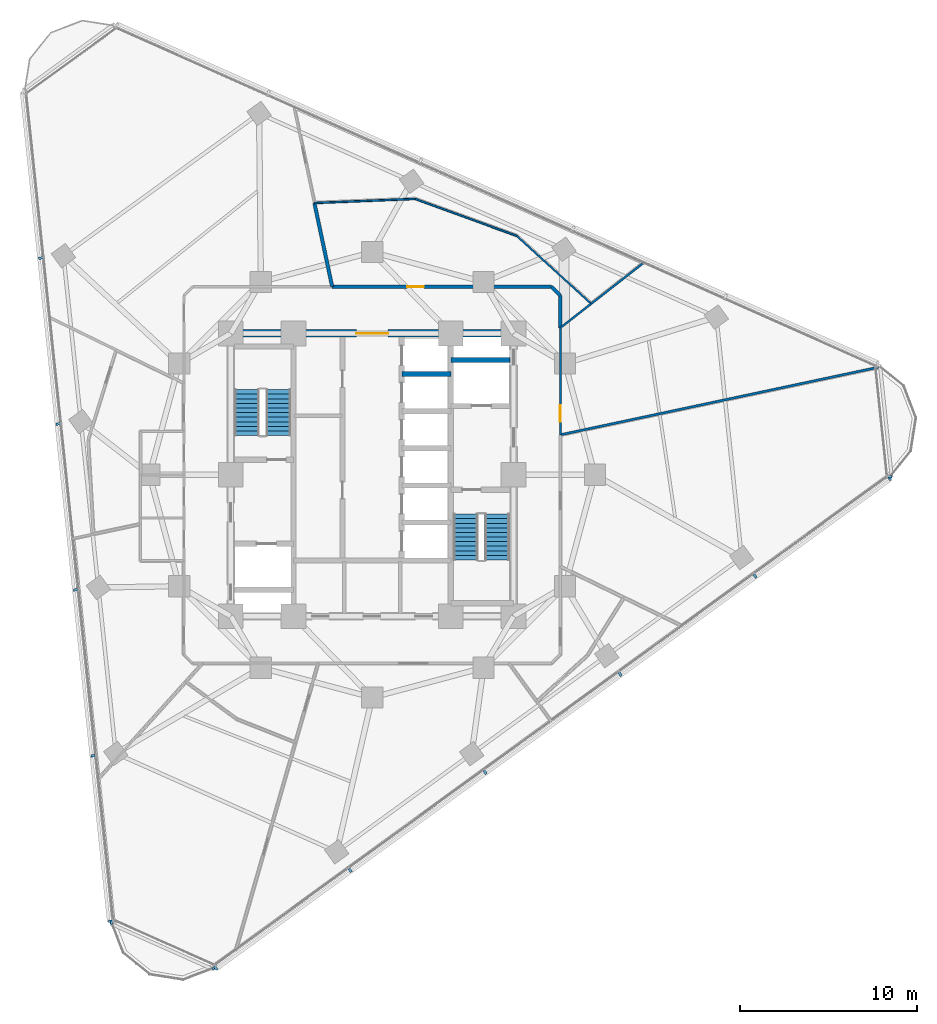
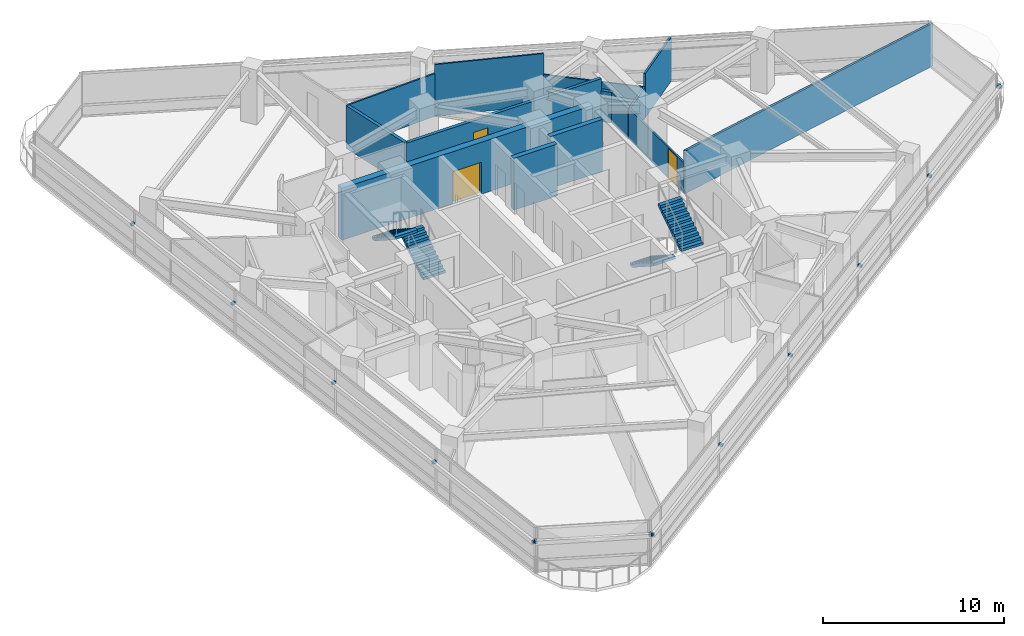
# One storey, part 10 of 14: 14 discrete accessories, 14 walls, 4 stair flights, 3 doors, 3 openings, 2 elements without a shape of their own.
"""IFC4 building model written with IfcOpenShell, lengths in metres."""

from ifc_helpers import new_model, si_unit, direction, frame, frame_2d, origin, origin_2d, place, context, subcontext, project, spatial, polyline, rectangle, outline, extrude, material, layer, layer_set, type_object, element, fill, aggregate, save


model = new_model("IFC4")

# Units and contexts
model_context = context("Model", 3, precision=1e-05, world=origin(), true_north=direction((0.0, 1.0)))
body_context = subcontext(model_context, "Body", "Model", "MODEL_VIEW")
ifc_project = project(units=[si_unit("LENGTHUNIT", "METRE"), si_unit("AREAUNIT", "SQUARE_METRE"), si_unit("VOLUMEUNIT", "CUBIC_METRE"), si_unit("PLANEANGLEUNIT", "RADIAN"), si_unit("MASSUNIT", "GRAM", prefix="KILO")], contexts=[model_context])

# Site, building, storey
site_placement = place(None, origin())
site = spatial("IfcSite", under=ifc_project, at=site_placement, CompositionType="ELEMENT")
building_placement = place(site_placement, origin())
building = spatial("IfcBuilding", under=site, at=building_placement, Name="Terralouvre Media Tower", CompositionType="ELEMENT")
storey_placement = place(building_placement, frame((0.0, 0.0, 173.10009765625)))
storey = spatial("IfcBuildingStorey", under=building, at=storey_placement, Name="L44", CompositionType="ELEMENT", Elevation=173.10009765625)

# Walls
ifc_material_1 = material(Name="Concrete C50/60", Category="concrete")
ifc_layer_1 = layer(ifc_material_1, 0.300048828125, Name="Core Internal Shaft Wall CW-300")
ifc_layer_set_1 = layer_set([ifc_layer_1], Name="Concrete C50/60")
wall_type_1 = type_object("IfcWallType", Name="Core Internal Shaft Wall CW-300", PredefinedType="SHEAR", material=ifc_layer_set_1)
wall_1_placement = place(storey_placement, frame((4.449951171875, 6.5, 0.0), z_axis=(0.0, 0.0, 1.0), x_axis=(1.0, 0.0, 0.0)))
element("IfcWall", 1, at=wall_1_placement, inside=storey, type_object=wall_type_1, Name="L44 Core Shaft Wall FF2N", PredefinedType="SHEAR", context=body_context, shape_type="SweptSolid", body=[
    extrude(rectangle(XDim=3.340087890625, YDim=0.300048828125, at=frame_2d((1.669921875, 0.0))), origin(), (0.0, 0.0, 1.0), 3.5),
])
wall_2_placement = place(storey_placement, frame((1.679931640625, 5.699951171875, 0.0), z_axis=(0.0, 0.0, 1.0), x_axis=(1.0, 0.0, 0.0)))
element("IfcWall", 2, at=wall_2_placement, inside=storey, type_object=wall_type_1, Name="L44 Core Shaft Wall PLMD2", PredefinedType="SHEAR", context=body_context, shape_type="SweptSolid", body=[
    extrude(rectangle(XDim=2.77001953125, YDim=0.300048828125, at=frame_2d((1.385009765625, 0.0))), origin(), (0.0, 0.0, 1.0), 3.5),
])

# Wall, opening, door
ifc_material_2 = material(Name="Concrete C60/75", Category="concrete")
ifc_layer_2 = layer(ifc_material_2, 0.419921875, Name="Core Reinforced Concrete Shear Wall CW-420")
ifc_layer_set_2 = layer_set([ifc_layer_2], Name="Concrete C60/75")
wall_type_2 = type_object("IfcWallType", Name="Core Reinforced Concrete Shear Wall CW-420", PredefinedType="SHEAR", material=ifc_layer_set_2)
wall_3_placement = place(storey_placement, frame((-8.0, 8.0, 0.0), z_axis=(0.0, 0.0, 1.0), x_axis=(1.0, 0.0, 0.0)))
wall_3 = element("IfcWall", 3, at=wall_3_placement, inside=storey, type_object=wall_type_2, Name="L44 N Core Shear Wall", PredefinedType="SHEAR", context=body_context, shape_type="SweptSolid", body=[
    extrude(rectangle(XDim=16.0, YDim=0.419921875, at=frame_2d((8.0, 0.0))), origin(), (0.0, 0.0, 1.0), 3.5),
])
opening_1_placement = place(wall_3_placement, frame((7.10009765625, 0.0, 0.0)))
opening_1 = element("IfcOpeningElement", 4, at=opening_1_placement, cuts=wall_3, Name="Opening FD-03", PredefinedType="OPENING", context=body_context, shape_type="SweptSolid", body=[
    extrude(rectangle(XDim=1.800048828125, YDim=2.14990234375, at=frame_2d((0.89990234375, 1.074951171875))), frame((0.0, 0.219970703125, 0.0), z_axis=(0.0, -1.0, 0.0), x_axis=(1.0, 0.0, 0.0)), (0.0, 0.0, 1.0), 0.43994140625),
])
ifc_material_3 = material(Name="Galvanised steel fire-resisting leaf", Category="steel")
door_type_1 = type_object("IfcDoorType", Name="Corridor Smoke-Control Double Door FD-03", OperationType="DOUBLE_DOOR_SINGLE_SWING", PredefinedType="DOOR", material=ifc_material_3)
door_1_placement = place(opening_1_placement, origin())
door_1 = element("IfcDoor", 5, at=door_1_placement, inside=storey, type_object=door_type_1, Name="L44 Central Lift Lobby Portal Door", OperationType="DOUBLE_DOOR_SINGLE_SWING", OverallHeight=2.14990234375, OverallWidth=1.800048828125, PredefinedType="DOOR", context=body_context, shape_type="SweptSolid", body=[
    extrude(rectangle(XDim=1.800048828125, YDim=2.14990234375, at=frame_2d((0.89990234375, 1.074951171875))), frame((0.0, 0.02490234375, 0.0), z_axis=(0.0, -1.0, 0.0), x_axis=(1.0, 0.0, 0.0)), (0.0, 0.0, 1.0), 0.050048828125),
])
fill(opening_1, door_1)

# Walls
ifc_material_4 = material(Name="Low-iron laminated double glazing with solar-control coating", Category="glass")
ifc_layer_3 = layer(ifc_material_4, 0.10009765625, Name="Demountable Glazed Office Partition PT-GL100")
ifc_layer_set_3 = layer_set([ifc_layer_3], Name="Low-iron laminated double glazing with solar-control coating")
wall_type_3 = type_object("IfcWallType", Name="Demountable Glazed Office Partition PT-GL100", PredefinedType="MOVABLE", material=ifc_layer_set_3)
wall_4_placement = place(storey_placement, frame((-3.26904296875, 15.381103515625, 0.0), z_axis=(0.0, 0.0, 1.0), x_axis=(0.999171753478, 0.040691609114, 0.0)))
element("IfcWall", 6, at=wall_4_placement, inside=storey, type_object=wall_type_3, Name="L44 Interior Partition 044", PredefinedType="MOVABLE", context=body_context, shape_type="SweptSolid", body=[
    extrude(rectangle(XDim=5.69970703125, YDim=0.10009765625, at=frame_2d((2.849853515625, 0.0))), origin(), (0.0, 0.0, 1.0), 2.885009765625),
])
wall_5_placement = place(storey_placement, frame((2.426025390625, 15.613037109375, 0.0), z_axis=(0.0, 0.0, 1.0), x_axis=(0.939701375228, -0.341996089736, 0.0)))
element("IfcWall", 7, at=wall_5_placement, inside=storey, type_object=wall_type_3, Name="L44 Interior Partition 045", PredefinedType="MOVABLE", context=body_context, shape_type="SweptSolid", body=[
    extrude(rectangle(XDim=6.1201171875, YDim=0.10009765625, at=frame_2d((3.06005859375, 0.0))), origin(), (0.0, 0.0, 1.0), 3.489990234375),
])
wall_6_placement = place(storey_placement, frame((8.177001953125, 13.52001953125, 0.0), z_axis=(0.0, 0.0, 1.0), x_axis=(0.739232344885, -0.673450473514, 0.0)))
element("IfcWall", 8, at=wall_6_placement, inside=storey, type_object=wall_type_3, Name="L44 Interior Partition 046", PredefinedType="MOVABLE", context=body_context, shape_type="SweptSolid", body=[
    extrude(rectangle(XDim=5.70068359375, YDim=0.10009765625, at=frame_2d((2.850341796875, 0.0))), origin(), (0.0, 0.0, 1.0), 2.074951171875),
])
ifc_material_5 = material(Name="Fire-rated gypsum board drywall partition")
ifc_layer_4 = layer(ifc_material_5, 0.199951171875, Name="Fire-Rated Shaft and Lobby Partition FW-200")
ifc_layer_set_4 = layer_set([ifc_layer_4], Name="Fire-rated gypsum board drywall partition")
wall_type_4 = type_object("IfcWallType", Name="Fire-Rated Shaft and Lobby Partition FW-200", PredefinedType="SOLIDWALL", material=ifc_layer_set_4)
wall_7_placement = place(storey_placement, frame((10.64990234375, 8.321044921875, 0.0), z_axis=(0.0, 0.0, 1.0), x_axis=(0.0, 1.0, 0.0)))
element("IfcWall", 9, at=wall_7_placement, inside=storey, type_object=wall_type_4, Name="L44 Interior Partition 013", PredefinedType="SOLIDWALL", context=body_context, shape_type="SweptSolid", body=[
    extrude(rectangle(XDim=1.828857421875, YDim=0.199951171875, at=frame_2d((0.91455078125, 0.0))), origin(), (0.0, 0.0, 1.0), 2.074951171875),
])
wall_8_placement = place(storey_placement, frame((10.64990234375, 10.14990234375, 0.0), z_axis=(0.0, 0.0, 1.0), x_axis=(-0.707106781187, 0.707106781187, 0.0)))
element("IfcWall", 10, at=wall_8_placement, inside=storey, type_object=wall_type_4, Name="L44 Interior Partition 014", PredefinedType="SOLIDWALL", context=body_context, shape_type="SweptSolid", body=[
    extrude(rectangle(XDim=0.70703125, YDim=0.199951171875, at=frame_2d((0.353515625, 0.0))), origin(), (0.0, 0.0, 1.0), 2.074951171875),
])

# Wall, opening, door
wall_9_placement = place(storey_placement, frame((10.14990234375, 10.64990234375, 0.0), z_axis=(0.0, 0.0, 1.0), x_axis=(-1.0, 0.0, 0.0)))
wall_9 = element("IfcWall", 11, at=wall_9_placement, inside=storey, type_object=wall_type_4, Name="L44 Interior Partition 015", PredefinedType="SOLIDWALL", context=body_context, shape_type="SweptSolid", body=[
    extrude(rectangle(XDim=12.413818359375, YDim=0.199951171875, at=frame_2d((6.20703125, 0.0))), origin(), (0.0, 0.0, 1.0), 2.875),
])
opening_2_placement = place(wall_9_placement, frame((7.2216796875, 0.0, 0.0)))
opening_2 = element("IfcOpeningElement", 12, at=opening_2_placement, cuts=wall_9, Name="Opening FD-02-95X210", PredefinedType="OPENING", context=body_context, shape_type="SweptSolid", body=[
    extrude(rectangle(XDim=0.949951171875, YDim=2.10009765625, at=frame_2d((0.47509765625, 1.050048828125))), frame((0.0, 0.10986328125, 0.0), z_axis=(0.0, -1.0, 0.0), x_axis=(1.0, 0.0, 0.0)), (0.0, 0.0, 1.0), 0.219970703125),
])
ifc_material_6 = material(Name="Galvanised steel fire-resisting leaf", Category="steel")
door_type_2 = type_object("IfcDoorType", Name="Plant and Riser Fire Door FD-02 (950x2100)", OperationType="NOTDEFINED", PredefinedType="DOOR", material=ifc_material_6)
door_2_placement = place(opening_2_placement, origin())
door_2 = element("IfcDoor", 13, at=door_2_placement, inside=storey, type_object=door_type_2, Name="L44 AV Teaching Rack Server Room 10 Door", OperationType="SINGLE_SWING_LEFT", OverallHeight=2.10009765625, OverallWidth=0.949951171875, PredefinedType="DOOR", context=body_context, shape_type="SweptSolid", body=[
    extrude(rectangle(XDim=0.949951171875, YDim=2.10009765625, at=frame_2d((0.47509765625, 1.050048828125))), frame((0.0, 0.02490234375, 0.0), z_axis=(0.0, -1.0, 0.0), x_axis=(1.0, 0.0, 0.0)), (0.0, 0.0, 1.0), 0.050048828125),
])
fill(opening_2, door_2)

# Walls
wall_10_placement = place(storey_placement, frame((-3.26904296875, 15.381103515625, 0.0), z_axis=(0.0, 0.0, 1.0), x_axis=(0.207808649559, -0.978169497157, 0.0)))
element("IfcWall", 14, at=wall_10_placement, inside=storey, type_object=wall_type_4, Name="L44 Interior Partition 048", PredefinedType="SOLIDWALL", context=body_context, shape_type="SweptSolid", body=[
    extrude(rectangle(XDim=4.836669921875, YDim=0.199951171875, at=frame_2d((2.41845703125, 0.0))), origin(), (0.0, 0.0, 1.0), 2.885009765625),
])
ifc_material_7 = material(Name="Fire-rated gypsum board drywall partition")
ifc_layer_5 = layer(ifc_material_7, 0.135009765625, Name="Newsroom Acoustic Partition PT-135")
ifc_layer_set_5 = layer_set([ifc_layer_5], Name="Fire-rated gypsum board drywall partition")
wall_type_5 = type_object("IfcWallType", Name="Newsroom Acoustic Partition PT-135", PredefinedType="PARTITIONING", material=ifc_layer_set_5)
wall_11_placement = place(storey_placement, frame((28.65087890625, 6.08984375, 0.0), z_axis=(0.0, 0.0, 1.0), x_axis=(-0.978150893197, -0.207896200392, 0.0)))
element("IfcWall", 15, at=wall_11_placement, inside=storey, type_object=wall_type_5, Name="L44 Interior Partition 041", PredefinedType="PARTITIONING", context=body_context, shape_type="SweptSolid", body=[
    extrude(rectangle(XDim=18.403076171875, YDim=0.135009765625, at=frame_2d((9.20166015625, 0.0))), origin(), (0.0, 0.0, 1.0), 2.885009765625),
])

# Wall, opening, door
ifc_material_8 = material(Name="Fire-rated gypsum board drywall partition")
ifc_layer_6 = layer(ifc_material_8, 0.114990234375, Name="Restroom and Pantry Partition PT-115")
ifc_layer_set_6 = layer_set([ifc_layer_6], Name="Fire-rated gypsum board drywall partition")
wall_type_6 = type_object("IfcWallType", Name="Restroom and Pantry Partition PT-115", PredefinedType="PARTITIONING", material=ifc_layer_set_6)
wall_12_placement = place(storey_placement, frame((10.64990234375, 2.263916015625, 0.0), z_axis=(0.0, 0.0, 1.0), x_axis=(0.0, 1.0, 0.0)))
wall_12 = element("IfcWall", 16, at=wall_12_placement, inside=storey, type_object=wall_type_6, Name="L44 Interior Partition 012", PredefinedType="PARTITIONING", context=body_context, shape_type="SweptSolid", body=[
    extrude(rectangle(XDim=6.05712890625, YDim=0.114990234375, at=frame_2d((3.028564453125, 0.0))), origin(), (0.0, 0.0, 1.0), 2.074951171875),
])
opening_3_placement = place(wall_12_placement, frame((0.736328125, 0.0, 0.0)))
opening_3 = element("IfcOpeningElement", 17, at=opening_3_placement, cuts=wall_12, Name="Opening SD-01-95X205", PredefinedType="OPENING", context=body_context, shape_type="SweptSolid", body=[
    extrude(rectangle(XDim=0.949951171875, YDim=2.02490234375, at=frame_2d((0.47509765625, 1.012451171875))), frame((0.0, 0.0673828125, 0.0), z_axis=(0.0, -1.0, 0.0), x_axis=(1.0, 0.0, 0.0)), (0.0, 0.0, 1.0), 0.135009765625),
])
ifc_material_9 = material(Name="Anodised extruded aluminium 6063-T6", Category="aluminium")
door_type_3 = type_object("IfcDoorType", Name="Pantry Pocket Sliding Door SD-01 (950x2055)", OperationType="SLIDING_TO_LEFT", PredefinedType="DOOR", material=ifc_material_9)
door_3_placement = place(opening_3_placement, origin())
door_3 = element("IfcDoor", 18, at=door_3_placement, inside=storey, type_object=door_type_3, Name="L44 Academy Refreshment Pantry 8 Door", OperationType="SLIDING_TO_LEFT", OverallHeight=2.02490234375, OverallWidth=0.949951171875, PredefinedType="DOOR", context=body_context, shape_type="SweptSolid", body=[
    extrude(rectangle(XDim=0.949951171875, YDim=2.02490234375, at=frame_2d((0.47509765625, 1.012451171875))), frame((0.0, 0.02490234375, 0.0), z_axis=(0.0, -1.0, 0.0), x_axis=(1.0, 0.0, 0.0)), (0.0, 0.0, 1.0), 0.050048828125),
])
fill(opening_3, door_3)

# Walls
wall_13_placement = place(storey_placement, frame((15.390869140625, 12.02490234375, 0.0), z_axis=(0.0, 0.0, 1.0), x_axis=(-0.787968951689, -0.615714975597, 0.0)))
element("IfcWall", 19, at=wall_13_placement, inside=storey, type_object=wall_type_6, Name="L44 Interior Partition 042", PredefinedType="PARTITIONING", context=body_context, shape_type="SweptSolid", body=[
    extrude(rectangle(XDim=3.806884765625, YDim=0.114990234375, at=frame_2d((1.9033203125, 0.0))), origin(), (0.0, 0.0, 1.0), 2.974853515625),
])
wall_14_placement = place(storey_placement, frame((12.39111328125, 9.680908203125, 0.0), z_axis=(0.0, 0.0, 1.0), x_axis=(-0.788124883644, -0.615515367624, 0.0)))
element("IfcWall", 20, at=wall_14_placement, inside=storey, type_object=wall_type_6, Name="L44 Interior Partition 043", PredefinedType="PARTITIONING", context=body_context, shape_type="SweptSolid", body=[
    extrude(rectangle(XDim=2.209228515625, YDim=0.114990234375, at=frame_2d((1.1044921875, 0.0))), origin(), (0.0, 0.0, 1.0), 2.074951171875),
])

# Stair, stair flights
ifc_material_10 = material(Name="Concrete C45/55", Category="concrete")
stair_type_1 = type_object("IfcStairType", Name="Dogleg Stair Assembly ST-01", PredefinedType="HALF_TURN_STAIR", material=ifc_material_10)
stair_1_placement = place(storey_placement, origin())
stair_1 = element("IfcStair", 21, at=stair_1_placement, inside=storey, type_object=stair_type_1, Name="L44 Core Pressurised Exit Stair ST-01", PredefinedType="HALF_TURN_STAIR")
ifc_material_11 = material(Name="Concrete C45/55", Category="concrete")
stair_flight_type = type_object("IfcStairFlightType", Name="Reinforced Concrete Stair Flight SF-RC1", PredefinedType="STRAIGHT", material=ifc_material_11)
stair_flight_1_placement = place(storey_placement, frame((-5.300048828125, 2.219970703125, 0.0), z_axis=(0.0, 0.0, 1.0), x_axis=(0.0, 1.0, 0.0)))
stair_flight_1 = element("IfcStairFlight", 22, at=stair_flight_1_placement, type_object=stair_flight_type, Name="ST-01 flight 1", NumberOfRisers=11, NumberOfTreads=10, PredefinedType="STRAIGHT", RiserHeight=0.168181818, TreadLength=0.26, context=body_context, shape_type="SweptSolid", body=[
    extrude(outline(polyline([(0.0, 0.0), (0.0, 0.168212890625), (0.260009765625, 0.168212890625), (0.260009765625, 0.33642578125), (0.52001953125, 0.33642578125), (0.52001953125, 0.504638671875), (0.780029296875, 0.504638671875), (0.780029296875, 0.672607421875), (1.0400390625, 0.672607421875), (1.0400390625, 0.8408203125), (1.300048828125, 0.8408203125), (1.300048828125, 1.009033203125), (1.56005859375, 1.009033203125), (1.56005859375, 1.17724609375), (1.820068359375, 1.17724609375), (1.820068359375, 1.345458984375), (2.080078125, 1.345458984375), (2.080078125, 1.513671875), (2.340087890625, 1.513671875), (2.340087890625, 1.681884765625), (2.60009765625, 1.681884765625), (2.60009765625, 1.85009765625), (2.60009765625, 1.503173828125), (0.27587890625, 0.0), (0.0, 0.0)])), frame((0.0, 0.699951171875, 0.0), z_axis=(0.0, -1.0, 0.0), x_axis=(1.0, 0.0, 0.0)), (0.0, 0.0, 1.0), 1.39990234375),
])
stair_flight_2_placement = place(storey_placement, frame((-7.080078125, 4.820068359375, 1.849853515625), z_axis=(0.0, 0.0, 1.0), x_axis=(0.0, -1.0, 0.0)))
stair_flight_2 = element("IfcStairFlight", 23, at=stair_flight_2_placement, type_object=stair_flight_type, Name="ST-01 flight 2", NumberOfRisers=11, NumberOfTreads=10, PredefinedType="STRAIGHT", RiserHeight=0.168181818, TreadLength=0.26, context=body_context, shape_type="SweptSolid", body=[
    extrude(outline(polyline([(0.0, 0.0), (0.0, 0.168212890625), (0.260009765625, 0.168212890625), (0.260009765625, 0.33642578125), (0.52001953125, 0.33642578125), (0.52001953125, 0.504638671875), (0.780029296875, 0.504638671875), (0.780029296875, 0.672607421875), (1.0400390625, 0.672607421875), (1.0400390625, 0.8408203125), (1.300048828125, 0.8408203125), (1.300048828125, 1.009033203125), (1.56005859375, 1.009033203125), (1.56005859375, 1.17724609375), (1.820068359375, 1.17724609375), (1.820068359375, 1.345458984375), (2.080078125, 1.345458984375), (2.080078125, 1.513671875), (2.340087890625, 1.513671875), (2.340087890625, 1.681884765625), (2.60009765625, 1.681884765625), (2.60009765625, 1.85009765625), (2.60009765625, 1.503173828125), (0.27587890625, 0.0), (0.0, 0.0)])), frame((0.0, 0.699951171875, 0.0), z_axis=(0.0, -1.0, 0.0), x_axis=(1.0, 0.0, 0.0)), (0.0, 0.0, 1.0), 1.39990234375),
])
aggregate(stair_1, [stair_flight_1, stair_flight_2])

ifc_material_12 = material(Name="Concrete C45/55", Category="concrete")
stair_type_2 = type_object("IfcStairType", Name="Dogleg Stair Assembly ST-02", PredefinedType="HALF_TURN_STAIR", material=ifc_material_12)
stair_2_placement = place(storey_placement, origin())
stair_2 = element("IfcStair", 24, at=stair_2_placement, inside=storey, type_object=stair_type_2, Name="L44 Core Pressurised Exit Stair ST-02", PredefinedType="HALF_TURN_STAIR")
stair_flight_3_placement = place(storey_placement, frame((5.300048828125, -2.219970703125, 0.0), z_axis=(0.0, 0.0, 1.0), x_axis=(0.0, -1.0, 0.0)))
stair_flight_3 = element("IfcStairFlight", 25, at=stair_flight_3_placement, type_object=stair_flight_type, Name="ST-02 flight 1", NumberOfRisers=11, NumberOfTreads=10, PredefinedType="STRAIGHT", RiserHeight=0.168181818, TreadLength=0.26, context=body_context, shape_type="SweptSolid", body=[
    extrude(outline(polyline([(0.0, 0.0), (0.0, 0.168212890625), (0.260009765625, 0.168212890625), (0.260009765625, 0.33642578125), (0.52001953125, 0.33642578125), (0.52001953125, 0.504638671875), (0.780029296875, 0.504638671875), (0.780029296875, 0.672607421875), (1.0400390625, 0.672607421875), (1.0400390625, 0.8408203125), (1.300048828125, 0.8408203125), (1.300048828125, 1.009033203125), (1.56005859375, 1.009033203125), (1.56005859375, 1.17724609375), (1.820068359375, 1.17724609375), (1.820068359375, 1.345458984375), (2.080078125, 1.345458984375), (2.080078125, 1.513671875), (2.340087890625, 1.513671875), (2.340087890625, 1.681884765625), (2.60009765625, 1.681884765625), (2.60009765625, 1.85009765625), (2.60009765625, 1.503173828125), (0.27587890625, 0.0), (0.0, 0.0)])), frame((0.0, 0.699951171875, 0.0), z_axis=(0.0, -1.0, 0.0), x_axis=(1.0, 0.0, 0.0)), (0.0, 0.0, 1.0), 1.39990234375),
])
stair_flight_4_placement = place(storey_placement, frame((7.080078125, -4.820068359375, 1.849853515625), z_axis=(0.0, 0.0, 1.0), x_axis=(0.0, 1.0, 0.0)))
stair_flight_4 = element("IfcStairFlight", 26, at=stair_flight_4_placement, type_object=stair_flight_type, Name="ST-02 flight 2", NumberOfRisers=11, NumberOfTreads=10, PredefinedType="STRAIGHT", RiserHeight=0.168181818, TreadLength=0.26, context=body_context, shape_type="SweptSolid", body=[
    extrude(outline(polyline([(0.0, 0.0), (0.0, 0.168212890625), (0.260009765625, 0.168212890625), (0.260009765625, 0.33642578125), (0.52001953125, 0.33642578125), (0.52001953125, 0.504638671875), (0.780029296875, 0.504638671875), (0.780029296875, 0.672607421875), (1.0400390625, 0.672607421875), (1.0400390625, 0.8408203125), (1.300048828125, 0.8408203125), (1.300048828125, 1.009033203125), (1.56005859375, 1.009033203125), (1.56005859375, 1.17724609375), (1.820068359375, 1.17724609375), (1.820068359375, 1.345458984375), (2.080078125, 1.345458984375), (2.080078125, 1.513671875), (2.340087890625, 1.513671875), (2.340087890625, 1.681884765625), (2.60009765625, 1.681884765625), (2.60009765625, 1.85009765625), (2.60009765625, 1.503173828125), (0.27587890625, 0.0), (0.0, 0.0)])), frame((0.0, 0.699951171875, 0.0), z_axis=(0.0, -1.0, 0.0), x_axis=(1.0, 0.0, 0.0)), (0.0, 0.0, 1.0), 1.39990234375),
])
aggregate(stair_2, [stair_flight_3, stair_flight_4])

# Discrete accessories
ifc_material_13 = material(Name="Anodised extruded aluminium 6063-T6", Category="aluminium")
discrete_accessory_type = type_object("IfcDiscreteAccessoryType", Name="Mullion Stand-Off Baguette Fixing Bracket BK-01", PredefinedType="BRACKET", material=ifc_material_13)
for number, where, z_axis, x_axis, name in (
    (27, (-8.855224609375, -27.898681640625, 2.07373046875), (0.0, 0.0, 1.0), (0.809016917383, 0.587785358263, 0.0), "CW-L44-F0 Baguette Outrigger Bracket 1.01"),
    (28, (-1.24853515625, -22.3720703125, 2.07373046875), (0.0, 0.0, 1.0), (0.809016917383, 0.587785358263, 0.0), "CW-L44-F0 Baguette Outrigger Bracket 1.02"),
    (29, (6.388671875, -16.8232421875, 2.07373046875), (0.0, 0.0, 1.0), (0.809016917383, 0.587785358263, 0.0), "CW-L44-F0 Baguette Outrigger Bracket 1.03"),
    (30, (14.025634765625, -11.274658203125, 2.07373046875), (0.0, 0.0, 1.0), (0.809016917383, 0.587785358263, 0.0), "CW-L44-F0 Baguette Outrigger Bracket 1.04"),
    (31, (21.662841796875, -5.725830078125, 2.07373046875), (0.0, 0.0, 1.0), (0.809016917383, 0.587785358263, 0.0), "CW-L44-F0 Baguette Outrigger Bracket 1.05"),
    (32, (29.26953125, -0.19921875, 2.07373046875), (0.0, 0.0, 1.0), (0.809016917383, 0.587785358263, 0.0), "CW-L44-F0 Baguette Outrigger Bracket 1.06"),
    (33, (-18.75048828125, 12.267333984375, 2.07373046875), (0.0, 0.0, 1.0), (0.104528376236, -0.994521904516, 0.0), "CW-L44-F2 Baguette Outrigger Bracket 1.02"),
    (34, (-17.763671875, 2.87890625, 2.07373046875), (0.0, 0.0, 1.0), (0.104528376236, -0.994521904516, 0.0), "CW-L44-F2 Baguette Outrigger Bracket 1.03"),
    (35, (-16.77685546875, -6.50927734375, 2.07373046875), (0.0, 0.0, 1.0), (0.104528376236, -0.994521904516, 0.0), "CW-L44-F2 Baguette Outrigger Bracket 1.04"),
    (36, (-15.790283203125, -15.897705078125, 2.07373046875), (0.0, 0.0, 1.0), (0.104528376236, -0.994521904516, 0.0), "CW-L44-F2 Baguette Outrigger Bracket 1.05"),
    (37, (-14.807373046875, -25.24853515625, 2.07373046875), (0.0, 0.0, 1.0), (0.104528376236, -0.994521904516, 0.0), "CW-L44-F2 Baguette Outrigger Bracket 1.06"),
    (38, (-14.737548828125, -25.315185546875, 2.07373046875), (0.0, 0.0, 1.0), (0.913545408199, -0.406736754128, 0.0), "CW-L44-C0 Baguette Outrigger Bracket 1.01"),
    (39, (-8.95166015625, -27.891357421875, 2.07373046875), (0.0, 0.0, 1.0), (0.913545408199, -0.406736754128, 0.0), "CW-L44-C0 Baguette Outrigger Bracket 1.02"),
    (40, (29.29248046875, -0.10546875, 2.07373046875), (0.0, 0.0, 1.0), (-0.10452850319, 0.994521891172, 0.0), "CW-L44-C1 Baguette Outrigger Bracket 1.01"),
):
    element("IfcDiscreteAccessory", number, at=place(storey_placement, frame(where, z_axis=z_axis, x_axis=x_axis)), inside=storey, type_object=discrete_accessory_type, Name=name, PredefinedType="BRACKET", context=body_context, shape_type="SweptSolid", body=[
        extrude(rectangle(XDim=0.139892578125, YDim=0.239990234375, at=origin_2d()), origin(), (0.0, 0.0, 1.0), 0.179931640625),
    ])

save(model, "model.ifc")
